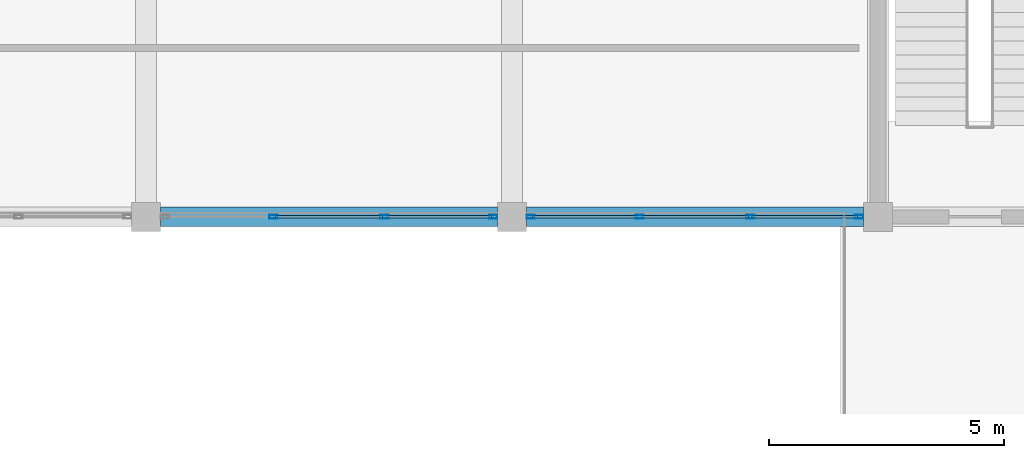
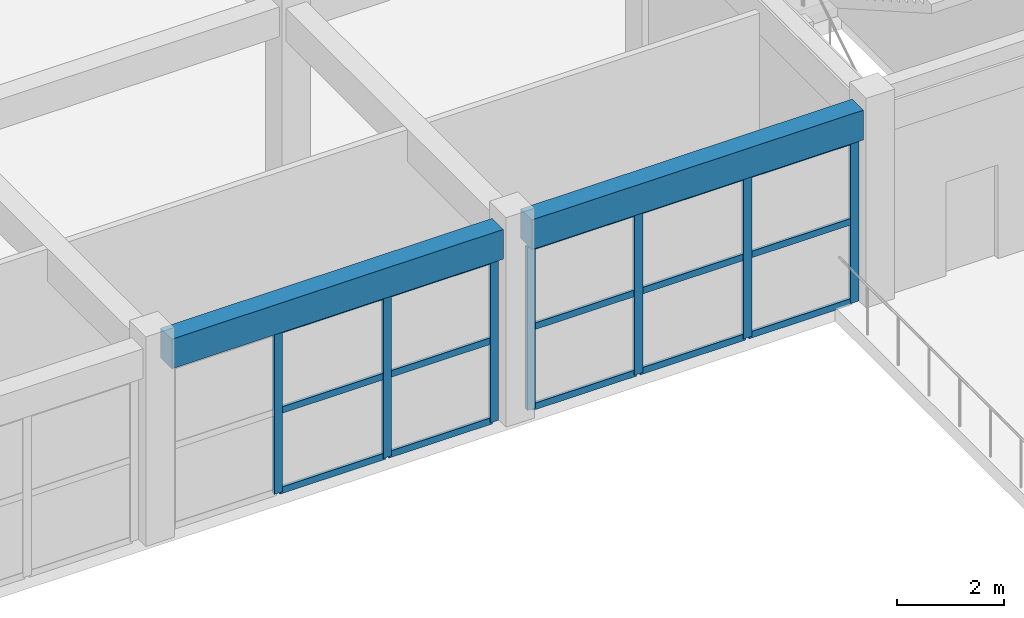
# One storey, part 100 of 167: 22 members, 2 beams, 2 elements without a shape of their own.
"""IFC4 building model written with IfcOpenShell, lengths in metres."""

from ifc_helpers import new_model, si_unit, direction, frame, origin, origin_2d, place, context, subcontext, project, spatial, rectangle, hollow_rectangle, extrude, material, layer, layer_set, material_profile, profile_set, type_object, element, aggregate, save


model = new_model("IFC4")

# Units and contexts
model_context = context("Model", 3, precision=1e-05, world=origin(), true_north=direction((0.0, 1.0)))
body_context = subcontext(model_context, "Body", "Model", "MODEL_VIEW")
ifc_project = project(units=[si_unit("LENGTHUNIT", "METRE"), si_unit("AREAUNIT", "SQUARE_METRE"), si_unit("VOLUMEUNIT", "CUBIC_METRE"), si_unit("PLANEANGLEUNIT", "RADIAN"), si_unit("MASSUNIT", "GRAM", prefix="KILO")], contexts=[model_context])

# Site, building, storey
site_placement = place(None, origin())
site = spatial("IfcSite", under=ifc_project, at=site_placement, CompositionType="ELEMENT")
building_placement = place(site_placement, origin())
building = spatial("IfcBuilding", under=site, at=building_placement, Name="Zizhar Promenade General Hospital", CompositionType="ELEMENT")
storey_placement = place(building_placement, frame((0.0, 0.0, 9.60009765625)))
storey = spatial("IfcBuildingStorey", under=building, at=storey_placement, Name="L02", CompositionType="ELEMENT", Elevation=9.60009765625)

# Beams
ifc_material_1 = material(Name="Concrete C35/45", Category="concrete")
ifc_material_profile_1 = material_profile(ifc_material_1, rectangle(XDim=0.419921875, YDim=0.679931640625, at=origin_2d()))
ifc_profile_set_1 = profile_set([ifc_material_profile_1], Name="Concrete C35/45")
beam_type = type_object("IfcBeamType", Name="BM-RC-420x680", PredefinedType="JOIST", material=ifc_profile_set_1)
for number, where, z_axis, x_axis, name in (
    (1, (156.31005859375, 92.39990234375, 4.1298828125), (1.0, 0.0, 0.0), (0.0, 1.0, 0.0), "Grid Beam X L02 (20-11)"),
    (2, (164.110107421875, 92.39990234375, 4.1298828125), (1.0, 0.0, 0.0), (0.0, 1.0, 0.0), "Grid Beam X L02 (21-11)"),
):
    element("IfcBeam", number, at=place(storey_placement, frame(where, z_axis=z_axis, x_axis=x_axis)), inside=storey, type_object=beam_type, Name=name, PredefinedType="JOIST", context=body_context, shape_type="SweptSolid", body=[
        extrude(rectangle(XDim=0.419921875, YDim=0.679931640625, at=origin_2d()), origin(), (0.0, 0.0, 1.0), 7.179931640625),
    ])

# Curtain wall, members
ifc_material_2 = material(Name="Anodised aluminium 6063-T6 and low-E glass", Category="aluminium")
ifc_layer = layer(ifc_material_2, 0.159912109375)
ifc_layer_set = layer_set([ifc_layer], Name="Anodised aluminium 6063-T6 and low-E glass")
curtain_wall_type = type_object("IfcCurtainWallType", Name="CW-CLN-CRT", PredefinedType="NOTDEFINED", material=ifc_layer_set)
curtain_wall_1_placement = place(storey_placement, origin())
curtain_wall_1 = element("IfcCurtainWall", 3, at=curtain_wall_1_placement, inside=storey, type_object=curtain_wall_type, Name="East Light Court North Glazing L02-20", PredefinedType="NOTDEFINED")
ifc_material_3 = material(Name="Anodised aluminium 6063-T6", Category="aluminium")
ifc_material_profile_2 = material_profile(ifc_material_3, hollow_rectangle(XDim=0.080078125, YDim=0.179931640625, WallThickness=0.0048828125, at=origin_2d()))
ifc_profile_set_2 = profile_set([ifc_material_profile_2], Name="Anodised aluminium 6063-T6")
member_type_1 = type_object("IfcMemberType", Name="CWM-ALU-180x80", PredefinedType="MULLION", material=ifc_profile_set_2)
member_1_placement = place(storey_placement, frame((163.39990234375, 92.39990234375, 0.0), z_axis=(0.0, 0.0, 1.0), x_axis=(0.0, -1.0, 0.0)))
member_1 = element("IfcMember", 4, at=member_1_placement, type_object=member_type_1, Name="CW-10 mullion 1", PredefinedType="MULLION", context=body_context, shape_type="SweptSolid", body=[
    extrude(hollow_rectangle(XDim=0.080078125, YDim=0.179931640625, WallThickness=0.0048828125, at=origin_2d()), origin(), (0.0, 0.0, 1.0), 3.72998046875),
])
member_2_placement = place(storey_placement, frame((161.080078125, 92.39990234375, 0.0), z_axis=(0.0, 0.0, 1.0), x_axis=(0.0, -1.0, 0.0)))
member_2 = element("IfcMember", 5, at=member_2_placement, type_object=member_type_1, Name="CW-10 mullion 2", PredefinedType="MULLION", context=body_context, shape_type="SweptSolid", body=[
    extrude(hollow_rectangle(XDim=0.080078125, YDim=0.179931640625, WallThickness=0.0048828125, at=origin_2d()), origin(), (0.0, 0.0, 1.0), 3.72998046875),
])
member_3_placement = place(storey_placement, frame((158.719970703125, 92.39990234375, 0.0), z_axis=(0.0, 0.0, 1.0), x_axis=(0.0, -1.0, 0.0)))
member_3 = element("IfcMember", 6, at=member_3_placement, type_object=member_type_1, Name="CW-10 mullion 3", PredefinedType="MULLION", context=body_context, shape_type="SweptSolid", body=[
    extrude(hollow_rectangle(XDim=0.080078125, YDim=0.179931640625, WallThickness=0.0048828125, at=origin_2d()), origin(), (0.0, 0.0, 1.0), 3.72998046875),
])

curtain_wall_2_placement = place(storey_placement, origin())
curtain_wall_2 = element("IfcCurtainWall", 7, at=curtain_wall_2_placement, inside=storey, type_object=curtain_wall_type, Name="East Light Court North Glazing L02-21", PredefinedType="NOTDEFINED")
member_4_placement = place(storey_placement, frame((171.199951171875, 92.39990234375, 0.0), z_axis=(0.0, 0.0, 1.0), x_axis=(0.0, -1.0, 0.0)))
member_4 = element("IfcMember", 8, at=member_4_placement, type_object=member_type_1, Name="CW-10 mullion 1", PredefinedType="MULLION", context=body_context, shape_type="SweptSolid", body=[
    extrude(hollow_rectangle(XDim=0.080078125, YDim=0.179931640625, WallThickness=0.0048828125, at=origin_2d()), origin(), (0.0, 0.0, 1.0), 3.72998046875),
])
member_5_placement = place(storey_placement, frame((168.8798828125, 92.39990234375, 0.0), z_axis=(0.0, 0.0, 1.0), x_axis=(0.0, -1.0, 0.0)))
member_5 = element("IfcMember", 9, at=member_5_placement, type_object=member_type_1, Name="CW-10 mullion 2", PredefinedType="MULLION", context=body_context, shape_type="SweptSolid", body=[
    extrude(hollow_rectangle(XDim=0.080078125, YDim=0.179931640625, WallThickness=0.0048828125, at=origin_2d()), origin(), (0.0, 0.0, 1.0), 3.72998046875),
])
member_6_placement = place(storey_placement, frame((166.52001953125, 92.39990234375, 0.0), z_axis=(0.0, 0.0, 1.0), x_axis=(0.0, -1.0, 0.0)))
member_6 = element("IfcMember", 10, at=member_6_placement, type_object=member_type_1, Name="CW-10 mullion 3", PredefinedType="MULLION", context=body_context, shape_type="SweptSolid", body=[
    extrude(hollow_rectangle(XDim=0.080078125, YDim=0.179931640625, WallThickness=0.0048828125, at=origin_2d()), origin(), (0.0, 0.0, 1.0), 3.72998046875),
])
member_7_placement = place(storey_placement, frame((164.199951171875, 92.39990234375, 0.0), z_axis=(0.0, 0.0, 1.0), x_axis=(0.0, -1.0, 0.0)))
member_7 = element("IfcMember", 11, at=member_7_placement, type_object=member_type_1, Name="CW-10 mullion 4", PredefinedType="MULLION", context=body_context, shape_type="SweptSolid", body=[
    extrude(hollow_rectangle(XDim=0.080078125, YDim=0.179931640625, WallThickness=0.0048828125, at=origin_2d()), origin(), (0.0, 0.0, 1.0), 3.72998046875),
])

# Member
ifc_material_4 = material(Name="Anodised aluminium 6063-T6", Category="aluminium")
ifc_material_profile_3 = material_profile(ifc_material_4, hollow_rectangle(XDim=0.06005859375, YDim=0.14990234375, WallThickness=0.00390625, at=origin_2d()))
ifc_profile_set_3 = profile_set([ifc_material_profile_3], Name="Anodised aluminium 6063-T6")
member_type_2 = type_object("IfcMemberType", Name="CWT-ALU-150x60", PredefinedType="USERDEFINED", material=ifc_profile_set_3)
member_8_placement = place(storey_placement, frame((163.360107421875, 92.39990234375, 0.02978515625), z_axis=(-1.0, 0.0, 0.0), x_axis=(0.0, -1.0, 0.0)))
member_8 = element("IfcMember", 12, at=member_8_placement, type_object=member_type_2, Name="CW-10 transom 1.1", ObjectType="TRANSOM", PredefinedType="USERDEFINED", context=body_context, shape_type="SweptSolid", body=[
    extrude(hollow_rectangle(XDim=0.06005859375, YDim=0.14990234375, WallThickness=0.00390625, at=origin_2d()), origin(), (0.0, 0.0, 1.0), 2.239990234375),
])

member_9_placement = place(storey_placement, frame((163.360107421875, 92.39990234375, 1.864990234375), z_axis=(-1.0, 0.0, 0.0), x_axis=(0.0, -1.0, 0.0)))
member_9 = element("IfcMember", 13, at=member_9_placement, type_object=member_type_2, Name="CW-10 transom 1.2", ObjectType="TRANSOM", PredefinedType="USERDEFINED", context=body_context, shape_type="SweptSolid", body=[
    extrude(hollow_rectangle(XDim=0.06005859375, YDim=0.14990234375, WallThickness=0.00390625, at=origin_2d()), origin(), (0.0, 0.0, 1.0), 2.239990234375),
])

member_10_placement = place(storey_placement, frame((163.360107421875, 92.39990234375, 3.699951171875), z_axis=(-1.0, 0.0, 0.0), x_axis=(0.0, -1.0, 0.0)))
member_10 = element("IfcMember", 14, at=member_10_placement, type_object=member_type_2, Name="CW-10 transom 1.3", ObjectType="TRANSOM", PredefinedType="USERDEFINED", context=body_context, shape_type="SweptSolid", body=[
    extrude(hollow_rectangle(XDim=0.06005859375, YDim=0.14990234375, WallThickness=0.00390625, at=origin_2d()), origin(), (0.0, 0.0, 1.0), 2.239990234375),
])

member_11_placement = place(storey_placement, frame((161.0400390625, 92.39990234375, 0.02978515625), z_axis=(-1.0, 0.0, 0.0), x_axis=(0.0, -1.0, 0.0)))
member_11 = element("IfcMember", 15, at=member_11_placement, type_object=member_type_2, Name="CW-10 transom 2.1", ObjectType="TRANSOM", PredefinedType="USERDEFINED", context=body_context, shape_type="SweptSolid", body=[
    extrude(hollow_rectangle(XDim=0.06005859375, YDim=0.14990234375, WallThickness=0.00390625, at=origin_2d()), origin(), (0.0, 0.0, 1.0), 2.280029296875),
])

member_12_placement = place(storey_placement, frame((161.0400390625, 92.39990234375, 1.864990234375), z_axis=(-1.0, 0.0, 0.0), x_axis=(0.0, -1.0, 0.0)))
member_12 = element("IfcMember", 16, at=member_12_placement, type_object=member_type_2, Name="CW-10 transom 2.2", ObjectType="TRANSOM", PredefinedType="USERDEFINED", context=body_context, shape_type="SweptSolid", body=[
    extrude(hollow_rectangle(XDim=0.06005859375, YDim=0.14990234375, WallThickness=0.00390625, at=origin_2d()), origin(), (0.0, 0.0, 1.0), 2.280029296875),
])

member_13_placement = place(storey_placement, frame((161.0400390625, 92.39990234375, 3.699951171875), z_axis=(-1.0, 0.0, 0.0), x_axis=(0.0, -1.0, 0.0)))
member_13 = element("IfcMember", 17, at=member_13_placement, type_object=member_type_2, Name="CW-10 transom 2.3", ObjectType="TRANSOM", PredefinedType="USERDEFINED", context=body_context, shape_type="SweptSolid", body=[
    extrude(hollow_rectangle(XDim=0.06005859375, YDim=0.14990234375, WallThickness=0.00390625, at=origin_2d()), origin(), (0.0, 0.0, 1.0), 2.280029296875),
])

aggregate(curtain_wall_1, [member_1, member_2, member_3, member_8, member_9, member_10, member_11, member_12, member_13])

member_14_placement = place(storey_placement, frame((171.159912109375, 92.39990234375, 0.02978515625), z_axis=(-1.0, 0.0, 0.0), x_axis=(0.0, -1.0, 0.0)))
member_14 = element("IfcMember", 18, at=member_14_placement, type_object=member_type_2, Name="CW-10 transom 1.1", ObjectType="TRANSOM", PredefinedType="USERDEFINED", context=body_context, shape_type="SweptSolid", body=[
    extrude(hollow_rectangle(XDim=0.06005859375, YDim=0.14990234375, WallThickness=0.00390625, at=origin_2d()), origin(), (0.0, 0.0, 1.0), 2.239990234375),
])

member_15_placement = place(storey_placement, frame((171.159912109375, 92.39990234375, 1.864990234375), z_axis=(-1.0, 0.0, 0.0), x_axis=(0.0, -1.0, 0.0)))
member_15 = element("IfcMember", 19, at=member_15_placement, type_object=member_type_2, Name="CW-10 transom 1.2", ObjectType="TRANSOM", PredefinedType="USERDEFINED", context=body_context, shape_type="SweptSolid", body=[
    extrude(hollow_rectangle(XDim=0.06005859375, YDim=0.14990234375, WallThickness=0.00390625, at=origin_2d()), origin(), (0.0, 0.0, 1.0), 2.239990234375),
])

member_16_placement = place(storey_placement, frame((171.159912109375, 92.39990234375, 3.699951171875), z_axis=(-1.0, 0.0, 0.0), x_axis=(0.0, -1.0, 0.0)))
member_16 = element("IfcMember", 20, at=member_16_placement, type_object=member_type_2, Name="CW-10 transom 1.3", ObjectType="TRANSOM", PredefinedType="USERDEFINED", context=body_context, shape_type="SweptSolid", body=[
    extrude(hollow_rectangle(XDim=0.06005859375, YDim=0.14990234375, WallThickness=0.00390625, at=origin_2d()), origin(), (0.0, 0.0, 1.0), 2.239990234375),
])

member_17_placement = place(storey_placement, frame((168.840087890625, 92.39990234375, 0.02978515625), z_axis=(-1.0, 0.0, 0.0), x_axis=(0.0, -1.0, 0.0)))
member_17 = element("IfcMember", 21, at=member_17_placement, type_object=member_type_2, Name="CW-10 transom 2.1", ObjectType="TRANSOM", PredefinedType="USERDEFINED", context=body_context, shape_type="SweptSolid", body=[
    extrude(hollow_rectangle(XDim=0.06005859375, YDim=0.14990234375, WallThickness=0.00390625, at=origin_2d()), origin(), (0.0, 0.0, 1.0), 2.280029296875),
])

member_18_placement = place(storey_placement, frame((168.840087890625, 92.39990234375, 1.864990234375), z_axis=(-1.0, 0.0, 0.0), x_axis=(0.0, -1.0, 0.0)))
member_18 = element("IfcMember", 22, at=member_18_placement, type_object=member_type_2, Name="CW-10 transom 2.2", ObjectType="TRANSOM", PredefinedType="USERDEFINED", context=body_context, shape_type="SweptSolid", body=[
    extrude(hollow_rectangle(XDim=0.06005859375, YDim=0.14990234375, WallThickness=0.00390625, at=origin_2d()), origin(), (0.0, 0.0, 1.0), 2.280029296875),
])

member_19_placement = place(storey_placement, frame((168.840087890625, 92.39990234375, 3.699951171875), z_axis=(-1.0, 0.0, 0.0), x_axis=(0.0, -1.0, 0.0)))
member_19 = element("IfcMember", 23, at=member_19_placement, type_object=member_type_2, Name="CW-10 transom 2.3", ObjectType="TRANSOM", PredefinedType="USERDEFINED", context=body_context, shape_type="SweptSolid", body=[
    extrude(hollow_rectangle(XDim=0.06005859375, YDim=0.14990234375, WallThickness=0.00390625, at=origin_2d()), origin(), (0.0, 0.0, 1.0), 2.280029296875),
])

member_20_placement = place(storey_placement, frame((166.47998046875, 92.39990234375, 0.02978515625), z_axis=(-1.0, 0.0, 0.0), x_axis=(0.0, -1.0, 0.0)))
member_20 = element("IfcMember", 24, at=member_20_placement, type_object=member_type_2, Name="CW-10 transom 3.1", ObjectType="TRANSOM", PredefinedType="USERDEFINED", context=body_context, shape_type="SweptSolid", body=[
    extrude(hollow_rectangle(XDim=0.06005859375, YDim=0.14990234375, WallThickness=0.00390625, at=origin_2d()), origin(), (0.0, 0.0, 1.0), 2.239990234375),
])

member_21_placement = place(storey_placement, frame((166.47998046875, 92.39990234375, 1.864990234375), z_axis=(-1.0, 0.0, 0.0), x_axis=(0.0, -1.0, 0.0)))
member_21 = element("IfcMember", 25, at=member_21_placement, type_object=member_type_2, Name="CW-10 transom 3.2", ObjectType="TRANSOM", PredefinedType="USERDEFINED", context=body_context, shape_type="SweptSolid", body=[
    extrude(hollow_rectangle(XDim=0.06005859375, YDim=0.14990234375, WallThickness=0.00390625, at=origin_2d()), origin(), (0.0, 0.0, 1.0), 2.239990234375),
])

member_22_placement = place(storey_placement, frame((166.47998046875, 92.39990234375, 3.699951171875), z_axis=(-1.0, 0.0, 0.0), x_axis=(0.0, -1.0, 0.0)))
member_22 = element("IfcMember", 26, at=member_22_placement, type_object=member_type_2, Name="CW-10 transom 3.3", ObjectType="TRANSOM", PredefinedType="USERDEFINED", context=body_context, shape_type="SweptSolid", body=[
    extrude(hollow_rectangle(XDim=0.06005859375, YDim=0.14990234375, WallThickness=0.00390625, at=origin_2d()), origin(), (0.0, 0.0, 1.0), 2.239990234375),
])

aggregate(curtain_wall_2, [member_4, member_5, member_6, member_7, member_14, member_15, member_16, member_17, member_18, member_19, member_20, member_21, member_22])

save(model, "model.ifc")
